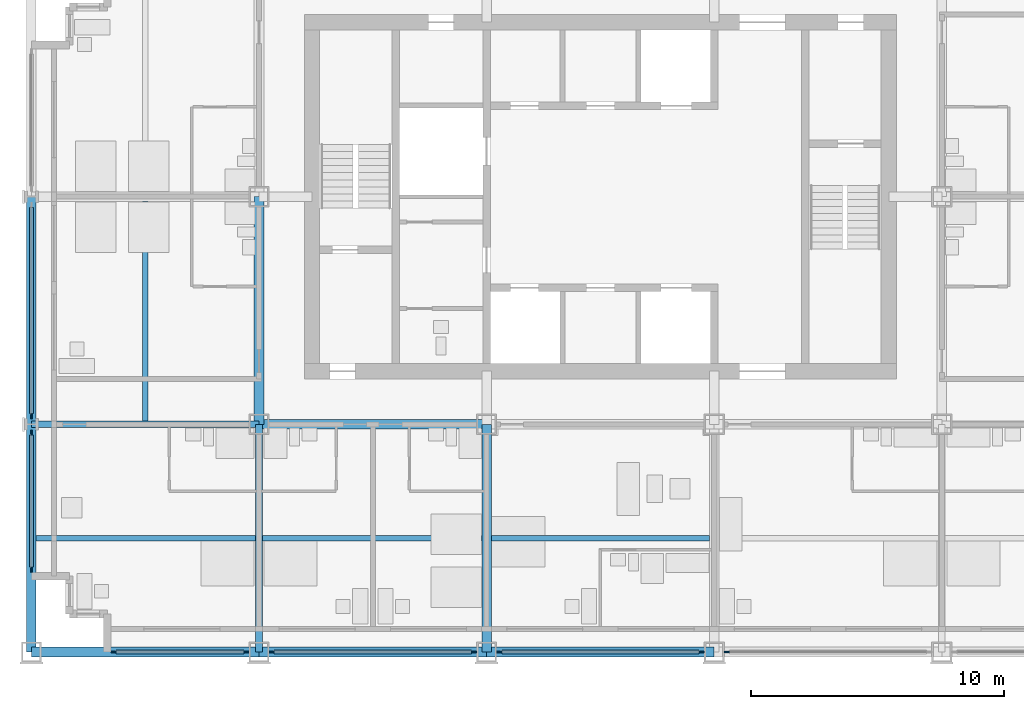
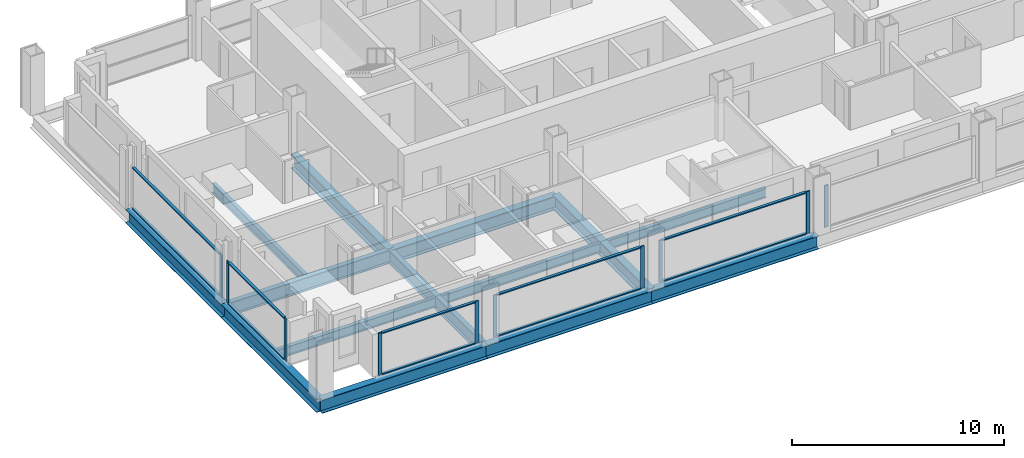
# One storey, part 2 of 13: 20 members, 14 beams, 6 elements without a shape of their own.
"""IFC4 building model written with IfcOpenShell, lengths in metres."""

from ifc_helpers import new_model, si_unit, direction, frame, origin, origin_2d, place, context, subcontext, project, spatial, rectangle, i_section, extrude, material, material_profile, profile_set, type_object, element, aggregate, save


model = new_model("IFC4")

# Units and contexts
model_context = context("Model", 3, precision=1e-05, world=origin(), true_north=direction((0.0, 1.0)))
body_context = subcontext(model_context, "Body", "Model", "MODEL_VIEW")
ifc_project = project(units=[si_unit("LENGTHUNIT", "METRE"), si_unit("AREAUNIT", "SQUARE_METRE"), si_unit("VOLUMEUNIT", "CUBIC_METRE"), si_unit("PLANEANGLEUNIT", "RADIAN"), si_unit("MASSUNIT", "GRAM", prefix="KILO")], contexts=[model_context])

# Site, building, storey
site_placement = place(None, origin())
site = spatial("IfcSite", under=ifc_project, at=site_placement, CompositionType="ELEMENT")
building_placement = place(site_placement, origin())
building = spatial("IfcBuilding", under=site, at=building_placement, Name="Loomwork Tower", CompositionType="ELEMENT")
storey_placement = place(building_placement, frame((0.0, 0.0, 184.199951171875)))
storey = spatial("IfcBuildingStorey", under=building, at=storey_placement, Name="L50", CompositionType="ELEMENT", Elevation=184.199951171875)

# Beams
ifc_material_1 = material(Name="Steel ASTM A992", Category="steel")
ifc_material_profile_1 = material_profile(ifc_material_1, i_section(OverallWidth=0.383544921875, OverallDepth=0.794921875, WebThickness=0.02099609375, FlangeThickness=0.0380859375, at=origin_2d()), Name="W30x235")
ifc_profile_set_1 = profile_set([ifc_material_profile_1], Name="Steel ASTM A992")
beam_type_1 = type_object("IfcBeamType", Name="CORE FLANK GIRDER W30x235", PredefinedType="BEAM", material=ifc_profile_set_1)
for number, where, z_axis, x_axis, name in (
    (1, (9.0, 9.0, -0.597412109375), (1.0, 0.0, 0.0), (0.0, 1.0, 0.0), "Core Flank Girder E/3-E/4 L50"),
    (2, (9.0, 9.0, -0.597412109375), (0.0, 1.0, 0.0), (-1.0, 0.0, 0.0), "Core Flank Girder E/3-F/3 L50"),
    (3, (18.0, 0.0, -0.597412109375), (0.0, 1.0, 0.0), (-1.0, 0.0, 0.0), "Core Flank Girder D/4-E/4 L50"),
):
    element("IfcBeam", number, at=place(storey_placement, frame(where, z_axis=z_axis, x_axis=x_axis)), inside=storey, type_object=beam_type_1, Name=name, PredefinedType="BEAM", context=body_context, shape_type="SweptSolid", body=[
        extrude(i_section(OverallWidth=0.383544921875, OverallDepth=0.794921875, WebThickness=0.02099609375, FlangeThickness=0.0380859375, at=origin_2d()), origin(), (0.0, 0.0, 1.0), 9.0),
    ])
ifc_material_2 = material(Name="Steel ASTM A992", Category="steel")
ifc_material_profile_2 = material_profile(ifc_material_2, i_section(OverallWidth=0.2666015625, OverallDepth=0.761962890625, WebThickness=0.014404296875, FlangeThickness=0.021484375, at=origin_2d()), Name="W30x116")
ifc_profile_set_2 = profile_set([ifc_material_profile_2], Name="Steel ASTM A992")
beam_type_2 = type_object("IfcBeamType", Name="FLOOR GIRDER W30x116", PredefinedType="BEAM", material=ifc_profile_set_2)
for number, where, z_axis, x_axis, name in (
    (4, (0.0, 9.0, -0.5810546875), (1.0, 0.0, 0.0), (0.0, 1.0, 0.0), "Floor Girder E/2-E/3 L50"),
    (5, (9.0, 0.0, -0.5810546875), (0.0, 1.0, 0.0), (-1.0, 0.0, 0.0), "Floor Girder D/3-E/3 L50"),
):
    element("IfcBeam", number, at=place(storey_placement, frame(where, z_axis=z_axis, x_axis=x_axis)), inside=storey, type_object=beam_type_2, Name=name, PredefinedType="BEAM", context=body_context, shape_type="SweptSolid", body=[
        extrude(i_section(OverallWidth=0.2666015625, OverallDepth=0.761962890625, WebThickness=0.014404296875, FlangeThickness=0.021484375, at=origin_2d()), origin(), (0.0, 0.0, 1.0), 9.0),
    ])
ifc_material_3 = material(Name="Steel ASTM A992", Category="steel")
ifc_material_profile_3 = material_profile(ifc_material_3, i_section(OverallWidth=0.2109375, OverallDepth=0.53857421875, WebThickness=0.011474609375, FlangeThickness=0.018798828125, at=origin_2d()), Name="W21x73")
ifc_profile_set_3 = profile_set([ifc_material_profile_3], Name="Steel ASTM A992")
beam_type_3 = type_object("IfcBeamType", Name="FLOOR JOIST W21x73", PredefinedType="JOIST", material=ifc_profile_set_3)
beam_1_placement = place(storey_placement, frame((0.18994140625, 4.5, -0.46923828125), z_axis=(1.0, 0.0, 0.0), x_axis=(0.0, 1.0, 0.0)))
element("IfcBeam", 6, at=beam_1_placement, inside=storey, type_object=beam_type_3, Name="Floor Joist 0.000,4.500-9.000,4.500 L50", PredefinedType="JOIST", context=body_context, shape_type="SweptSolid", body=[
    extrude(i_section(OverallWidth=0.2109375, OverallDepth=0.53857421875, WebThickness=0.011474609375, FlangeThickness=0.018798828125, at=origin_2d()), origin(), (0.0, 0.0, 1.0), 8.677001953125),
])
for number, where, z_axis, x_axis, name in (
    (7, (4.5, 9.133056640625, -0.46923828125), (0.0, 1.0, 0.0), (-1.0, 0.0, 0.0), "Floor Joist 4.500,9.000-4.500,18.000 L50"),
    (8, (9.133056640625, 4.5, -0.46923828125), (1.0, 0.0, 0.0), (0.0, 1.0, 0.0), "Floor Joist 9.000,4.500-18.000,4.500 L50"),
):
    element("IfcBeam", number, at=place(storey_placement, frame(where, z_axis=z_axis, x_axis=x_axis)), inside=storey, type_object=beam_type_3, Name=name, PredefinedType="JOIST", context=body_context, shape_type="SweptSolid", body=[
        extrude(i_section(OverallWidth=0.2109375, OverallDepth=0.53857421875, WebThickness=0.011474609375, FlangeThickness=0.018798828125, at=origin_2d()), origin(), (0.0, 0.0, 1.0), 8.676025390625),
    ])
beam_2_placement = place(storey_placement, frame((18.19091796875, 4.5, -0.46923828125), z_axis=(1.0, 0.0, 0.0), x_axis=(0.0, 1.0, 0.0)))
element("IfcBeam", 9, at=beam_2_placement, inside=storey, type_object=beam_type_3, Name="Floor Joist 18.000,4.500-27.000,4.500 L50", PredefinedType="JOIST", context=body_context, shape_type="SweptSolid", body=[
    extrude(i_section(OverallWidth=0.2109375, OverallDepth=0.53857421875, WebThickness=0.011474609375, FlangeThickness=0.018798828125, at=origin_2d()), origin(), (0.0, 0.0, 1.0), 8.6181640625),
])

# Curtain wall, members
ifc_material_4 = material(Name="Aluminium curtain wall frame", Category="aluminium")
curtain_wall_type = type_object("IfcCurtainWallType", Name="Outer skin glazing hotel", PredefinedType="NOTDEFINED", material=ifc_material_4)
curtain_wall_1_placement = place(storey_placement, origin())
curtain_wall_1 = element("IfcCurtainWall", 10, at=curtain_wall_1_placement, inside=storey, type_object=curtain_wall_type, Name="Outer skin glazing hotel cw/S-0", PredefinedType="NOTDEFINED")
ifc_material_5 = material(Name="Aluminium curtain wall frame", Category="aluminium")
ifc_material_profile_4 = material_profile(ifc_material_5, rectangle(XDim=0.06494140625, YDim=0.199951171875, at=origin_2d()), Name="AL 65x200")
ifc_profile_set_4 = profile_set([ifc_material_profile_4], Name="Aluminium curtain wall frame")
member_type_1 = type_object("IfcMemberType", Name="Outer skin glazing hotel mullion", PredefinedType="MULLION", material=ifc_profile_set_4)
member_1_placement = place(storey_placement, frame((3.25, 0.0, 0.0), z_axis=(0.0, 0.0, 1.0), x_axis=(0.0, 1.0, 0.0)))
member_1 = element("IfcMember", 11, at=member_1_placement, type_object=member_type_1, Name="CW1 mullion 1", PredefinedType="MULLION", context=body_context, shape_type="SweptSolid", body=[
    extrude(rectangle(XDim=0.06494140625, YDim=0.199951171875, at=origin_2d()), origin(), (0.0, 0.0, 1.0), 2.420166015625),
])
member_2_placement = place(storey_placement, frame((8.5, 0.0, 0.0), z_axis=(0.0, 0.0, 1.0), x_axis=(0.0, 1.0, 0.0)))
member_2 = element("IfcMember", 12, at=member_2_placement, type_object=member_type_1, Name="CW1 mullion 2", PredefinedType="MULLION", context=body_context, shape_type="SweptSolid", body=[
    extrude(rectangle(XDim=0.06494140625, YDim=0.199951171875, at=origin_2d()), origin(), (0.0, 0.0, 1.0), 2.420166015625),
])

curtain_wall_2_placement = place(storey_placement, origin())
curtain_wall_2 = element("IfcCurtainWall", 13, at=curtain_wall_2_placement, inside=storey, type_object=curtain_wall_type, Name="Outer skin glazing hotel cw/S-9", PredefinedType="NOTDEFINED")
member_3_placement = place(storey_placement, frame((9.5, 0.0, 0.0), z_axis=(0.0, 0.0, 1.0), x_axis=(0.0, 1.0, 0.0)))
member_3 = element("IfcMember", 14, at=member_3_placement, type_object=member_type_1, Name="CW1 mullion 1", PredefinedType="MULLION", context=body_context, shape_type="SweptSolid", body=[
    extrude(rectangle(XDim=0.06494140625, YDim=0.199951171875, at=origin_2d()), origin(), (0.0, 0.0, 1.0), 2.420166015625),
])
member_4_placement = place(storey_placement, frame((17.5, 0.0, 0.0), z_axis=(0.0, 0.0, 1.0), x_axis=(0.0, 1.0, 0.0)))
member_4 = element("IfcMember", 15, at=member_4_placement, type_object=member_type_1, Name="CW1 mullion 2", PredefinedType="MULLION", context=body_context, shape_type="SweptSolid", body=[
    extrude(rectangle(XDim=0.06494140625, YDim=0.199951171875, at=origin_2d()), origin(), (0.0, 0.0, 1.0), 2.420166015625),
])

curtain_wall_3_placement = place(storey_placement, origin())
curtain_wall_3 = element("IfcCurtainWall", 16, at=curtain_wall_3_placement, inside=storey, type_object=curtain_wall_type, Name="Outer skin glazing hotel cw/S-18", PredefinedType="NOTDEFINED")
member_5_placement = place(storey_placement, frame((18.5, 0.0, 0.0), z_axis=(0.0, 0.0, 1.0), x_axis=(0.0, 1.0, 0.0)))
member_5 = element("IfcMember", 17, at=member_5_placement, type_object=member_type_1, Name="CW1 mullion 1", PredefinedType="MULLION", context=body_context, shape_type="SweptSolid", body=[
    extrude(rectangle(XDim=0.06494140625, YDim=0.199951171875, at=origin_2d()), origin(), (0.0, 0.0, 1.0), 2.420166015625),
])
member_6_placement = place(storey_placement, frame((26.5, 0.0, 0.0), z_axis=(0.0, 0.0, 1.0), x_axis=(0.0, 1.0, 0.0)))
member_6 = element("IfcMember", 18, at=member_6_placement, type_object=member_type_1, Name="CW1 mullion 2", PredefinedType="MULLION", context=body_context, shape_type="SweptSolid", body=[
    extrude(rectangle(XDim=0.06494140625, YDim=0.199951171875, at=origin_2d()), origin(), (0.0, 0.0, 1.0), 2.420166015625),
])

# Curtain wall, member
curtain_wall_4_placement = place(storey_placement, origin())
curtain_wall_4 = element("IfcCurtainWall", 19, at=curtain_wall_4_placement, inside=storey, type_object=curtain_wall_type, Name="Outer skin glazing hotel cw/S-27", PredefinedType="NOTDEFINED")
member_7_placement = place(storey_placement, frame((27.5, 0.0, 0.0), z_axis=(0.0, 0.0, 1.0), x_axis=(0.0, 1.0, 0.0)))
member_7 = element("IfcMember", 20, at=member_7_placement, type_object=member_type_1, Name="CW1 mullion 1", PredefinedType="MULLION", context=body_context, shape_type="SweptSolid", body=[
    extrude(rectangle(XDim=0.06494140625, YDim=0.199951171875, at=origin_2d()), origin(), (0.0, 0.0, 1.0), 2.420166015625),
])
aggregate(curtain_wall_4, [member_7])

# Curtain wall, members
curtain_wall_5_placement = place(storey_placement, origin())
curtain_wall_5 = element("IfcCurtainWall", 21, at=curtain_wall_5_placement, inside=storey, type_object=curtain_wall_type, Name="Outer skin glazing hotel cw/W-0", PredefinedType="NOTDEFINED")
member_8_placement = place(storey_placement, frame((0.0, 8.67529296875, 0.0), z_axis=(0.0, 0.0, 1.0), x_axis=(1.0, 0.0, 0.0)))
member_8 = element("IfcMember", 22, at=member_8_placement, type_object=member_type_1, Name="CW1 mullion 1", PredefinedType="MULLION", context=body_context, shape_type="SweptSolid", body=[
    extrude(rectangle(XDim=0.06494140625, YDim=0.199951171875, at=origin_2d()), origin(), (0.0, 0.0, 1.0), 2.420166015625),
])
member_9_placement = place(storey_placement, frame((0.0, 3.25, 0.0), z_axis=(0.0, 0.0, 1.0), x_axis=(1.0, 0.0, 0.0)))
member_9 = element("IfcMember", 23, at=member_9_placement, type_object=member_type_1, Name="CW1 mullion 2", PredefinedType="MULLION", context=body_context, shape_type="SweptSolid", body=[
    extrude(rectangle(XDim=0.06494140625, YDim=0.199951171875, at=origin_2d()), origin(), (0.0, 0.0, 1.0), 2.420166015625),
])

# Curtain wall, member
curtain_wall_6_placement = place(storey_placement, origin())
curtain_wall_6 = element("IfcCurtainWall", 24, at=curtain_wall_6_placement, inside=storey, type_object=curtain_wall_type, Name="Outer skin glazing hotel cw/W-9", PredefinedType="NOTDEFINED")
member_10_placement = place(storey_placement, frame((0.0, 9.32470703125, 0.0), z_axis=(0.0, 0.0, 1.0), x_axis=(1.0, 0.0, 0.0)))
member_10 = element("IfcMember", 25, at=member_10_placement, type_object=member_type_1, Name="CW1 mullion 2", PredefinedType="MULLION", context=body_context, shape_type="SweptSolid", body=[
    extrude(rectangle(XDim=0.06494140625, YDim=0.199951171875, at=origin_2d()), origin(), (0.0, 0.0, 1.0), 2.420166015625),
])

# Member
ifc_material_6 = material(Name="Aluminium curtain wall frame", Category="aluminium")
ifc_material_profile_5 = material_profile(ifc_material_6, rectangle(XDim=0.14990234375, YDim=0.06494140625, at=origin_2d()), Name="AL 65x150")
ifc_profile_set_5 = profile_set([ifc_material_profile_5], Name="Aluminium curtain wall frame")
member_type_2 = type_object("IfcMemberType", Name="Outer skin glazing hotel transom", PredefinedType="USERDEFINED", material=ifc_profile_set_5)
member_11_placement = place(storey_placement, frame((3.35009765625, 0.0, 0.032470703125), z_axis=(1.0, 0.0, 0.0), x_axis=(0.0, 1.0, 0.0)))
member_11 = element("IfcMember", 26, at=member_11_placement, type_object=member_type_2, Name="CW1 transom 1.1", ObjectType="TRANSOM", PredefinedType="USERDEFINED", context=body_context, shape_type="SweptSolid", body=[
    extrude(rectangle(XDim=0.14990234375, YDim=0.06494140625, at=origin_2d()), origin(), (0.0, 0.0, 1.0), 5.0498046875),
])

member_12_placement = place(storey_placement, frame((3.35009765625, 0.0, 2.3876953125), z_axis=(1.0, 0.0, 0.0), x_axis=(0.0, 1.0, 0.0)))
member_12 = element("IfcMember", 27, at=member_12_placement, type_object=member_type_2, Name="CW1 transom 1.2", ObjectType="TRANSOM", PredefinedType="USERDEFINED", context=body_context, shape_type="SweptSolid", body=[
    extrude(rectangle(XDim=0.14990234375, YDim=0.06494140625, at=origin_2d()), origin(), (0.0, 0.0, 1.0), 5.0498046875),
])

aggregate(curtain_wall_1, [member_1, member_2, member_11, member_12])

member_13_placement = place(storey_placement, frame((9.60009765625, 0.0, 0.032470703125), z_axis=(1.0, 0.0, 0.0), x_axis=(0.0, 1.0, 0.0)))
member_13 = element("IfcMember", 28, at=member_13_placement, type_object=member_type_2, Name="CW1 transom 1.1", ObjectType="TRANSOM", PredefinedType="USERDEFINED", context=body_context, shape_type="SweptSolid", body=[
    extrude(rectangle(XDim=0.14990234375, YDim=0.06494140625, at=origin_2d()), origin(), (0.0, 0.0, 1.0), 7.7998046875),
])

member_14_placement = place(storey_placement, frame((9.60009765625, 0.0, 2.3876953125), z_axis=(1.0, 0.0, 0.0), x_axis=(0.0, 1.0, 0.0)))
member_14 = element("IfcMember", 29, at=member_14_placement, type_object=member_type_2, Name="CW1 transom 1.2", ObjectType="TRANSOM", PredefinedType="USERDEFINED", context=body_context, shape_type="SweptSolid", body=[
    extrude(rectangle(XDim=0.14990234375, YDim=0.06494140625, at=origin_2d()), origin(), (0.0, 0.0, 1.0), 7.7998046875),
])

aggregate(curtain_wall_2, [member_3, member_4, member_13, member_14])

member_15_placement = place(storey_placement, frame((18.60009765625, 0.0, 0.032470703125), z_axis=(1.0, 0.0, 0.0), x_axis=(0.0, 1.0, 0.0)))
member_15 = element("IfcMember", 30, at=member_15_placement, type_object=member_type_2, Name="CW1 transom 1.1", ObjectType="TRANSOM", PredefinedType="USERDEFINED", context=body_context, shape_type="SweptSolid", body=[
    extrude(rectangle(XDim=0.14990234375, YDim=0.06494140625, at=origin_2d()), origin(), (0.0, 0.0, 1.0), 7.7998046875),
])

member_16_placement = place(storey_placement, frame((18.60009765625, 0.0, 2.3876953125), z_axis=(1.0, 0.0, 0.0), x_axis=(0.0, 1.0, 0.0)))
member_16 = element("IfcMember", 31, at=member_16_placement, type_object=member_type_2, Name="CW1 transom 1.2", ObjectType="TRANSOM", PredefinedType="USERDEFINED", context=body_context, shape_type="SweptSolid", body=[
    extrude(rectangle(XDim=0.14990234375, YDim=0.06494140625, at=origin_2d()), origin(), (0.0, 0.0, 1.0), 7.7998046875),
])

aggregate(curtain_wall_3, [member_5, member_6, member_15, member_16])

member_17_placement = place(storey_placement, frame((0.0, 8.5751953125, 0.032470703125), z_axis=(0.0, -1.0, 0.0), x_axis=(1.0, 0.0, 0.0)))
member_17 = element("IfcMember", 32, at=member_17_placement, type_object=member_type_2, Name="CW1 transom 1.1", ObjectType="TRANSOM", PredefinedType="USERDEFINED", context=body_context, shape_type="SweptSolid", body=[
    extrude(rectangle(XDim=0.14990234375, YDim=0.06494140625, at=origin_2d()), origin(), (0.0, 0.0, 1.0), 5.22509765625),
])

member_18_placement = place(storey_placement, frame((0.0, 8.5751953125, 2.3876953125), z_axis=(0.0, -1.0, 0.0), x_axis=(1.0, 0.0, 0.0)))
member_18 = element("IfcMember", 33, at=member_18_placement, type_object=member_type_2, Name="CW1 transom 1.2", ObjectType="TRANSOM", PredefinedType="USERDEFINED", context=body_context, shape_type="SweptSolid", body=[
    extrude(rectangle(XDim=0.14990234375, YDim=0.06494140625, at=origin_2d()), origin(), (0.0, 0.0, 1.0), 5.22509765625),
])

aggregate(curtain_wall_5, [member_8, member_9, member_17, member_18])

member_19_placement = place(storey_placement, frame((0.0, 17.5751953125, 0.032470703125), z_axis=(0.0, -1.0, 0.0), x_axis=(1.0, 0.0, 0.0)))
member_19 = element("IfcMember", 34, at=member_19_placement, type_object=member_type_2, Name="CW1 transom 1.1", ObjectType="TRANSOM", PredefinedType="USERDEFINED", context=body_context, shape_type="SweptSolid", body=[
    extrude(rectangle(XDim=0.14990234375, YDim=0.06494140625, at=origin_2d()), origin(), (0.0, 0.0, 1.0), 8.150390625),
])

member_20_placement = place(storey_placement, frame((0.0, 17.5751953125, 2.3876953125), z_axis=(0.0, -1.0, 0.0), x_axis=(1.0, 0.0, 0.0)))
member_20 = element("IfcMember", 35, at=member_20_placement, type_object=member_type_2, Name="CW1 transom 1.2", ObjectType="TRANSOM", PredefinedType="USERDEFINED", context=body_context, shape_type="SweptSolid", body=[
    extrude(rectangle(XDim=0.14990234375, YDim=0.06494140625, at=origin_2d()), origin(), (0.0, 0.0, 1.0), 8.150390625),
])

aggregate(curtain_wall_6, [member_10, member_19, member_20])

# Beams
ifc_material_7 = material(Name="Steel ASTM A992", Category="steel")
ifc_material_profile_6 = material_profile(ifc_material_7, i_section(OverallWidth=0.381103515625, OverallDepth=0.77978515625, WebThickness=0.01806640625, FlangeThickness=0.0302734375, at=origin_2d()), Name="W30x191")
ifc_profile_set_6 = profile_set([ifc_material_profile_6], Name="Steel ASTM A992")
beam_type_4 = type_object("IfcBeamType", Name="SPANDREL GIRDER W30x191", PredefinedType="SPANDREL", material=ifc_profile_set_6)
for number, where, z_axis, x_axis, name in (
    (36, (0.0, 0.0, -0.58984375), (1.0, 0.0, 0.0), (0.0, 1.0, 0.0), "Spandrel Girder D/2-D/3 L50"),
    (37, (9.0, 0.0, -0.58984375), (1.0, 0.0, 0.0), (0.0, 1.0, 0.0), "Spandrel Girder D/3-D/4 L50"),
    (38, (18.0, 0.0, -0.58984375), (1.0, 0.0, 0.0), (0.0, 1.0, 0.0), "Spandrel Girder D/4-D/5 L50"),
    (39, (0.0, 0.0, -0.58984375), (0.0, 1.0, 0.0), (-1.0, 0.0, 0.0), "Spandrel Girder D/2-E/2 L50"),
    (40, (0.0, 9.0, -0.58984375), (0.0, 1.0, 0.0), (-1.0, 0.0, 0.0), "Spandrel Girder E/2-F/2 L50"),
):
    element("IfcBeam", number, at=place(storey_placement, frame(where, z_axis=z_axis, x_axis=x_axis)), inside=storey, type_object=beam_type_4, Name=name, PredefinedType="SPANDREL", context=body_context, shape_type="SweptSolid", body=[
        extrude(i_section(OverallWidth=0.381103515625, OverallDepth=0.77978515625, WebThickness=0.01806640625, FlangeThickness=0.0302734375, at=origin_2d()), origin(), (0.0, 0.0, 1.0), 9.0),
    ])

save(model, "model.ifc")
